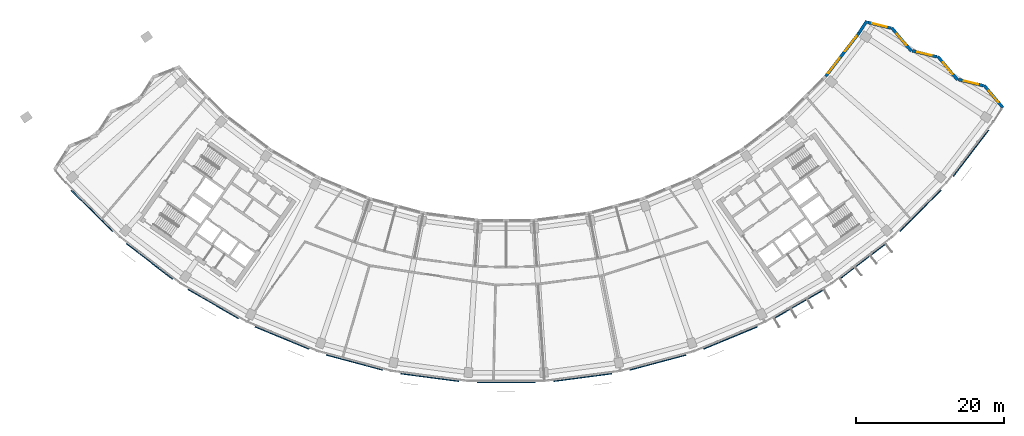
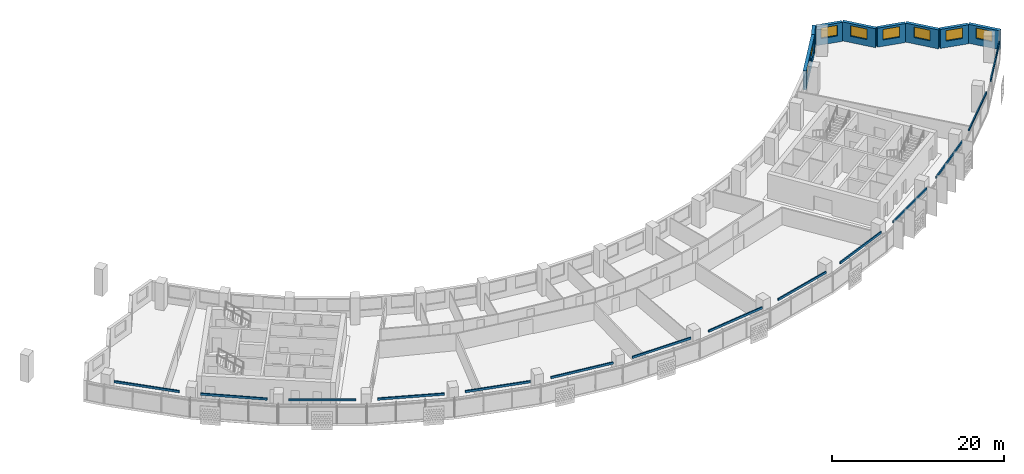
# One storey, part 8 of 26: 14 discrete accessories, 8 walls, 8 windows, 8 openings.
"""IFC4 building model written with IfcOpenShell, lengths in metres."""

from ifc_helpers import new_model, si_unit, direction, frame, frame_2d, origin, origin_2d, place, context, subcontext, project, spatial, rectangle, extrude, material, layer, layer_set, type_object, element, fill, save


model = new_model("IFC4")

# Units and contexts
model_context = context("Model", 3, precision=1e-05, world=origin(), true_north=direction((0.0, 1.0)))
body_context = subcontext(model_context, "Body", "Model", "MODEL_VIEW")
ifc_project = project(units=[si_unit("LENGTHUNIT", "METRE"), si_unit("AREAUNIT", "SQUARE_METRE"), si_unit("VOLUMEUNIT", "CUBIC_METRE"), si_unit("PLANEANGLEUNIT", "RADIAN"), si_unit("MASSUNIT", "GRAM", prefix="KILO")], contexts=[model_context])

# Site, building, storey
site_placement = place(None, origin())
site = spatial("IfcSite", under=ifc_project, at=site_placement, CompositionType="ELEMENT")
building_placement = place(site_placement, origin())
building = spatial("IfcBuilding", under=site, at=building_placement, Name="Qamariyya Broadcast Tower", CompositionType="ELEMENT")
storey_placement = place(building_placement, frame((0.0, 0.0, 168.300048828125)))
storey = spatial("IfcBuildingStorey", under=building, at=storey_placement, Name="L39", CompositionType="ELEMENT", Elevation=168.300048828125)

# Wall, opening, window
ifc_material_1 = material(Name="Terracotta", Category="masonry")
ifc_layer = layer(ifc_material_1, 0.39990234375)
ifc_layer_set = layer_set([ifc_layer], Name="Terracotta clad wall 400")
wall_type = type_object("IfcWallType", Name="Terracotta clad wall 400", PredefinedType="SOLIDWALL", material=ifc_layer_set)
wall_1_placement = place(storey_placement, frame((66.90234375, -41.896240234375, 0.0), z_axis=(0.0, 0.0, 1.0), x_axis=(-0.642850376319, 0.765991771279, 0.0)))
wall_1 = element("IfcWall", 1, at=wall_1_placement, inside=storey, type_object=wall_type, Name="e-wl-L39-capE0", PredefinedType="SOLIDWALL", context=body_context, shape_type="SweptSolid", body=[
    extrude(rectangle(XDim=3.921630859375, YDim=0.39990234375, at=frame_2d((1.9609375, 0.0))), origin(), (0.0, 0.0, 1.0), 2.699951171875),
])
opening_1_placement = place(wall_1_placement, frame((0.9609375, 0.0, 0.89990234375)))
opening_1 = element("IfcOpeningElement", 2, at=opening_1_placement, cuts=wall_1, Name="Opening W4", PredefinedType="OPENING", context=body_context, shape_type="SweptSolid", body=[
    extrude(rectangle(XDim=2.0, YDim=1.5, at=frame_2d((1.0, 0.75))), frame((0.0, 0.2099609375, 0.0), z_axis=(0.0, -1.0, 0.0), x_axis=(1.0, 0.0, 0.0)), (0.0, 0.0, 1.0), 0.419921875),
])
ifc_material_2 = material(Name="Clear low-e double glazed unit in aluminium frame", Category="aluminium")
window_type_1 = type_object("IfcWindowType", Name="Horn bay window 2000 x 1500", PartitioningType="SINGLE_PANEL", PredefinedType="WINDOW", material=ifc_material_2)
window_1_placement = place(opening_1_placement, origin())
window_1 = element("IfcWindow", 3, at=window_1_placement, inside=storey, type_object=window_type_1, Name="e-w-L39-capE0", OverallHeight=1.5, OverallWidth=2.0, PartitioningType="SINGLE_PANEL", PredefinedType="WINDOW", context=body_context, shape_type="SweptSolid", body=[
    extrude(rectangle(XDim=2.0, YDim=1.5, at=frame_2d((1.0, 0.75))), frame((0.0, 0.030029296875, 0.0), z_axis=(0.0, -1.0, 0.0), x_axis=(1.0, 0.0, 0.0)), (0.0, 0.0, 1.0), 0.06005859375),
])
fill(opening_1, window_1)

wall_2_placement = place(storey_placement, frame((64.25, -38.933349609375, 0.0), z_axis=(0.0, 0.0, 1.0), x_axis=(-0.971327600999, 0.237745013696, 0.0)))
wall_2 = element("IfcWall", 4, at=wall_2_placement, inside=storey, type_object=wall_type, Name="e-wl-L39-capE1", PredefinedType="SOLIDWALL", context=body_context, shape_type="SweptSolid", body=[
    extrude(rectangle(XDim=3.419677734375, YDim=0.39990234375, at=frame_2d((1.7099609375, 0.0))), origin(), (0.0, 0.0, 1.0), 2.699951171875),
])
opening_2_placement = place(wall_2_placement, frame((0.709716796875, 0.0, 0.89990234375)))
opening_2 = element("IfcOpeningElement", 5, at=opening_2_placement, cuts=wall_2, Name="Opening W4", PredefinedType="OPENING", context=body_context, shape_type="SweptSolid", body=[
    extrude(rectangle(XDim=2.0, YDim=1.5, at=frame_2d((1.0, 0.75))), frame((0.0, 0.2099609375, 0.0), z_axis=(0.0, -1.0, 0.0), x_axis=(1.0, 0.0, 0.0)), (0.0, 0.0, 1.0), 0.419921875),
])
window_2_placement = place(opening_2_placement, origin())
window_2 = element("IfcWindow", 6, at=window_2_placement, inside=storey, type_object=window_type_1, Name="e-w-L39-capE1", OverallHeight=1.5, OverallWidth=2.0, PartitioningType="SINGLE_PANEL", PredefinedType="WINDOW", context=body_context, shape_type="SweptSolid", body=[
    extrude(rectangle(XDim=2.0, YDim=1.5, at=frame_2d((1.0, 0.75))), frame((0.0, 0.030029296875, 0.0), z_axis=(0.0, -1.0, 0.0), x_axis=(1.0, 0.0, 0.0)), (0.0, 0.0, 1.0), 0.06005859375),
])
fill(opening_2, window_2)

wall_3_placement = place(storey_placement, frame((60.797119140625, -38.1611328125, 0.0), z_axis=(0.0, 0.0, 1.0), x_axis=(-0.642916078824, 0.765936626353, 0.0)))
wall_3 = element("IfcWall", 7, at=wall_3_placement, inside=storey, type_object=wall_type, Name="e-wl-L39-capE2", PredefinedType="SOLIDWALL", context=body_context, shape_type="SweptSolid", body=[
    extrude(rectangle(XDim=4.10791015625, YDim=0.39990234375, at=frame_2d((2.053955078125, 0.0))), origin(), (0.0, 0.0, 1.0), 2.699951171875),
])
opening_3_placement = place(wall_3_placement, frame((1.053955078125, 0.0, 0.89990234375)))
opening_3 = element("IfcOpeningElement", 8, at=opening_3_placement, cuts=wall_3, Name="Opening W4", PredefinedType="OPENING", context=body_context, shape_type="SweptSolid", body=[
    extrude(rectangle(XDim=2.0, YDim=1.5, at=frame_2d((1.0, 0.75))), frame((0.0, 0.2099609375, 0.0), z_axis=(0.0, -1.0, 0.0), x_axis=(1.0, 0.0, 0.0)), (0.0, 0.0, 1.0), 0.419921875),
])
window_3_placement = place(opening_3_placement, origin())
window_3 = element("IfcWindow", 9, at=window_3_placement, inside=storey, type_object=window_type_1, Name="e-w-L39-capE2", OverallHeight=1.5, OverallWidth=2.0, PartitioningType="SINGLE_PANEL", PredefinedType="WINDOW", context=body_context, shape_type="SweptSolid", body=[
    extrude(rectangle(XDim=2.0, YDim=1.5, at=frame_2d((1.0, 0.75))), frame((0.0, 0.030029296875, 0.0), z_axis=(0.0, -1.0, 0.0), x_axis=(1.0, 0.0, 0.0)), (0.0, 0.0, 1.0), 0.06005859375),
])
fill(opening_3, window_3)

wall_4_placement = place(storey_placement, frame((58.0244140625, -35.0556640625, 0.0), z_axis=(0.0, 0.0, 1.0), x_axis=(-0.971344436282, 0.237676221156, 0.0)))
wall_4 = element("IfcWall", 10, at=wall_4_placement, inside=storey, type_object=wall_type, Name="e-wl-L39-capE3", PredefinedType="SOLIDWALL", context=body_context, shape_type="SweptSolid", body=[
    extrude(rectangle(XDim=3.41845703125, YDim=0.39990234375, at=frame_2d((1.709228515625, 0.0))), origin(), (0.0, 0.0, 1.0), 2.699951171875),
])
opening_4_placement = place(wall_4_placement, frame((0.709228515625, 0.0, 0.89990234375)))
opening_4 = element("IfcOpeningElement", 11, at=opening_4_placement, cuts=wall_4, Name="Opening W4", PredefinedType="OPENING", context=body_context, shape_type="SweptSolid", body=[
    extrude(rectangle(XDim=2.0, YDim=1.5, at=frame_2d((1.0, 0.75))), frame((0.0, 0.2099609375, 0.0), z_axis=(0.0, -1.0, 0.0), x_axis=(1.0, 0.0, 0.0)), (0.0, 0.0, 1.0), 0.419921875),
])
window_4_placement = place(opening_4_placement, origin())
window_4 = element("IfcWindow", 12, at=window_4_placement, inside=storey, type_object=window_type_1, Name="e-w-L39-capE3", OverallHeight=1.5, OverallWidth=2.0, PartitioningType="SINGLE_PANEL", PredefinedType="WINDOW", context=body_context, shape_type="SweptSolid", body=[
    extrude(rectangle(XDim=2.0, YDim=1.5, at=frame_2d((1.0, 0.75))), frame((0.0, 0.030029296875, 0.0), z_axis=(0.0, -1.0, 0.0), x_axis=(1.0, 0.0, 0.0)), (0.0, 0.0, 1.0), 0.06005859375),
])
fill(opening_4, window_4)

wall_5_placement = place(storey_placement, frame((54.572509765625, -34.283935546875, 0.0), z_axis=(0.0, 0.0, 1.0), x_axis=(-0.64303183436, 0.765839447926, 0.0)))
wall_5 = element("IfcWall", 13, at=wall_5_placement, inside=storey, type_object=wall_type, Name="e-wl-L39-capE4", PredefinedType="SOLIDWALL", context=body_context, shape_type="SweptSolid", body=[
    extrude(rectangle(XDim=4.109130859375, YDim=0.39990234375, at=frame_2d((2.0546875, 0.0))), origin(), (0.0, 0.0, 1.0), 2.699951171875),
])
opening_5_placement = place(wall_5_placement, frame((1.0546875, 0.0, 0.89990234375)))
opening_5 = element("IfcOpeningElement", 14, at=opening_5_placement, cuts=wall_5, Name="Opening W4", PredefinedType="OPENING", context=body_context, shape_type="SweptSolid", body=[
    extrude(rectangle(XDim=2.0, YDim=1.5, at=frame_2d((1.0, 0.75))), frame((0.0, 0.2099609375, 0.0), z_axis=(0.0, -1.0, 0.0), x_axis=(1.0, 0.0, 0.0)), (0.0, 0.0, 1.0), 0.419921875),
])
window_5_placement = place(opening_5_placement, origin())
window_5 = element("IfcWindow", 15, at=window_5_placement, inside=storey, type_object=window_type_1, Name="e-w-L39-capE4", OverallHeight=1.5, OverallWidth=2.0, PartitioningType="SINGLE_PANEL", PredefinedType="WINDOW", context=body_context, shape_type="SweptSolid", body=[
    extrude(rectangle(XDim=2.0, YDim=1.5, at=frame_2d((1.0, 0.75))), frame((0.0, 0.030029296875, 0.0), z_axis=(0.0, -1.0, 0.0), x_axis=(1.0, 0.0, 0.0)), (0.0, 0.0, 1.0), 0.06005859375),
])
fill(opening_5, window_5)

wall_6_placement = place(storey_placement, frame((51.798828125, -31.177734375, 0.0), z_axis=(0.0, 0.0, 1.0), x_axis=(-0.971365474566, 0.237590224591, 0.0)))
wall_6 = element("IfcWall", 16, at=wall_6_placement, inside=storey, type_object=wall_type, Name="e-wl-L39-capE5", PredefinedType="SOLIDWALL", context=body_context, shape_type="SweptSolid", body=[
    extrude(rectangle(XDim=3.173095703125, YDim=0.39990234375, at=frame_2d((1.58642578125, 0.0))), origin(), (0.0, 0.0, 1.0), 2.699951171875),
])
opening_6_placement = place(wall_6_placement, frame((0.586669921875, 0.0, 0.89990234375)))
opening_6 = element("IfcOpeningElement", 17, at=opening_6_placement, cuts=wall_6, Name="Opening W4", PredefinedType="OPENING", context=body_context, shape_type="SweptSolid", body=[
    extrude(rectangle(XDim=2.0, YDim=1.5, at=frame_2d((1.0, 0.75))), frame((0.0, 0.2099609375, 0.0), z_axis=(0.0, -1.0, 0.0), x_axis=(1.0, 0.0, 0.0)), (0.0, 0.0, 1.0), 0.419921875),
])
window_6_placement = place(opening_6_placement, origin())
window_6 = element("IfcWindow", 18, at=window_6_placement, inside=storey, type_object=window_type_1, Name="e-w-L39-capE5", OverallHeight=1.5, OverallWidth=2.0, PartitioningType="SINGLE_PANEL", PredefinedType="WINDOW", context=body_context, shape_type="SweptSolid", body=[
    extrude(rectangle(XDim=2.0, YDim=1.5, at=frame_2d((1.0, 0.75))), frame((0.0, 0.030029296875, 0.0), z_axis=(0.0, -1.0, 0.0), x_axis=(1.0, 0.0, 0.0)), (0.0, 0.0, 1.0), 0.06005859375),
])
fill(opening_6, window_6)

# Wall, openings, windows
wall_7_placement = place(storey_placement, frame((47.53857421875, -31.807373046875, 0.0), z_axis=(0.0, 0.0, 1.0), x_axis=(-0.608773850571, -0.793343808737, 0.0)))
wall_7 = element("IfcWall", 19, at=wall_7_placement, inside=storey, type_object=wall_type, Name="e-wl-L39-in140", PredefinedType="SOLIDWALL", context=body_context, shape_type="SweptSolid", body=[
    extrude(rectangle(XDim=7.3955078125, YDim=0.39990234375, at=frame_2d((3.69775390625, 0.0))), origin(), (0.0, 0.0, 1.0), 2.699951171875),
])
opening_7_placement = place(wall_7_placement, frame((4.26904296875, 0.0, 0.89990234375)))
opening_7 = element("IfcOpeningElement", 20, at=opening_7_placement, cuts=wall_7, Name="Opening W1", PredefinedType="OPENING", context=body_context, shape_type="SweptSolid", body=[
    extrude(rectangle(XDim=2.60009765625, YDim=1.64990234375, at=frame_2d((1.300048828125, 0.824951171875))), frame((0.0, 0.2099609375, 0.0), z_axis=(0.0, -1.0, 0.0), x_axis=(1.0, 0.0, 0.0)), (0.0, 0.0, 1.0), 0.419921875),
])
opening_8_placement = place(wall_7_placement, frame((0.541015625, 0.0, 0.89990234375)))
opening_8 = element("IfcOpeningElement", 21, at=opening_8_placement, cuts=wall_7, Name="Opening W1", PredefinedType="OPENING", context=body_context, shape_type="SweptSolid", body=[
    extrude(rectangle(XDim=2.60009765625, YDim=1.64990234375, at=frame_2d((1.300048828125, 0.824951171875))), frame((0.0, 0.2099609375, 0.0), z_axis=(0.0, -1.0, 0.0), x_axis=(1.0, 0.0, 0.0)), (0.0, 0.0, 1.0), 0.419921875),
])
window_type_2 = type_object("IfcWindowType", Name="Ribbon window 2600 x 1650", PartitioningType="SINGLE_PANEL", PredefinedType="WINDOW", material=ifc_material_2)
window_7_placement = place(opening_7_placement, origin())
window_7 = element("IfcWindow", 22, at=window_7_placement, inside=storey, type_object=window_type_2, Name="e-w-L39-in14-0", OverallHeight=1.64990234375, OverallWidth=2.60009765625, PartitioningType="SINGLE_PANEL", PredefinedType="WINDOW", context=body_context, shape_type="SweptSolid", body=[
    extrude(rectangle(XDim=2.60009765625, YDim=1.64990234375, at=frame_2d((1.300048828125, 0.824951171875))), frame((0.0, 0.030029296875, 0.0), z_axis=(0.0, -1.0, 0.0), x_axis=(1.0, 0.0, 0.0)), (0.0, 0.0, 1.0), 0.06005859375),
])
fill(opening_7, window_7)
window_8_placement = place(opening_8_placement, origin())
window_8 = element("IfcWindow", 23, at=window_8_placement, inside=storey, type_object=window_type_2, Name="e-w-L39-in14-1", OverallHeight=1.64990234375, OverallWidth=2.60009765625, PartitioningType="SINGLE_PANEL", PredefinedType="WINDOW", context=body_context, shape_type="SweptSolid", body=[
    extrude(rectangle(XDim=2.60009765625, YDim=1.64990234375, at=frame_2d((1.300048828125, 0.824951171875))), frame((0.0, 0.030029296875, 0.0), z_axis=(0.0, -1.0, 0.0), x_axis=(1.0, 0.0, 0.0)), (0.0, 0.0, 1.0), 0.06005859375),
])
fill(opening_8, window_8)

# Wall
wall_8_placement = place(storey_placement, frame((48.57568359375, -30.20458984375, 0.0), z_axis=(0.0, 0.0, 1.0), x_axis=(-0.542138619048, -0.840289067962, 0.0)))
element("IfcWall", 24, at=wall_8_placement, inside=storey, type_object=wall_type, Name="e-wl-L39-in150", PredefinedType="SOLIDWALL", context=body_context, shape_type="SweptSolid", body=[
    extrude(rectangle(XDim=1.89306640625, YDim=0.39990234375, at=frame_2d((0.946533203125, 0.0))), origin(), (0.0, 0.0, 1.0), 2.699951171875),
])

# Discrete accessories
ifc_material_3 = material(Name="Stainless steel 316", Category="steel")
discrete_accessory_type = type_object("IfcDiscreteAccessoryType", Name="Slab edge fixing angle, stainless steel", PredefinedType="BRACKET", material=ifc_material_3)
for number, where, z_axis, x_axis, name in (
    (25, (-55.794921875, -55.794921875, 3.2998046875), (0.0, 0.0, 1.0), (0.707106781187, -0.707106781187, 0.0), "e-br-L39-01-0"),
    (26, (-48.034912109375, -62.600341796875, 3.2998046875), (0.0, 0.0, 1.0), (0.793353340291, -0.608761429009, 0.0), "e-br-L39-02-0"),
    (27, (-39.452880859375, -68.33447265625, 3.2998046875), (0.0, 0.0, 1.0), (0.866025403784, -0.5, 0.0), "e-br-L39-03-0"),
    (28, (-30.196044921875, -72.8994140625, 3.2998046875), (0.0, 0.0, 1.0), (0.923879532511, -0.382683432365, 0.0), "e-br-L39-04-0"),
    (29, (-20.42236328125, -76.21728515625, 3.2998046875), (0.0, 0.0, 1.0), (0.965925826289, -0.258819045103, 0.0), "e-br-L39-05-0"),
    (30, (-10.29931640625, -78.230712890625, 3.2998046875), (0.0, 0.0, 1.0), (0.991444861374, -0.13052619222, 0.0), "e-br-L39-06-0"),
    (31, (0.0, -78.90576171875, 3.2998046875), (0.0, 0.0, 1.0), (1.0, 0.0, 0.0), "e-br-L39-07-0"),
    (32, (10.29931640625, -78.230712890625, 3.2998046875), (0.0, 0.0, 1.0), (0.991444861374, 0.13052619222, 0.0), "e-br-L39-08-0"),
    (33, (20.42236328125, -76.21728515625, 3.2998046875), (0.0, 0.0, 1.0), (0.965925826289, 0.258819045103, 0.0), "e-br-L39-09-0"),
    (34, (30.196044921875, -72.8994140625, 3.2998046875), (0.0, 0.0, 1.0), (0.923879532511, 0.382683432365, 0.0), "e-br-L39-10-0"),
    (35, (39.452880859375, -68.33447265625, 3.2998046875), (0.0, 0.0, 1.0), (0.866025403784, 0.5, 0.0), "e-br-L39-11-0"),
    (36, (48.034912109375, -62.600341796875, 3.2998046875), (0.0, 0.0, 1.0), (0.793353340291, 0.608761429009, 0.0), "e-br-L39-12-0"),
    (37, (55.794921875, -55.794921875, 3.2998046875), (0.0, 0.0, 1.0), (0.707106781187, 0.707106781187, 0.0), "e-br-L39-13-0"),
    (38, (62.600341796875, -48.034912109375, 3.2998046875), (0.0, 0.0, 1.0), (0.608761429009, 0.793353340291, 0.0), "e-br-L39-14-0"),
):
    element("IfcDiscreteAccessory", number, at=place(storey_placement, frame(where, z_axis=z_axis, x_axis=x_axis)), inside=storey, type_object=discrete_accessory_type, Name=name, PredefinedType="BRACKET", context=body_context, shape_type="SweptSolid", body=[
        extrude(rectangle(XDim=7.850341796875, YDim=0.14990234375, at=origin_2d()), origin(), (0.0, 0.0, 1.0), 0.300048828125),
    ])

save(model, "model.ifc")
